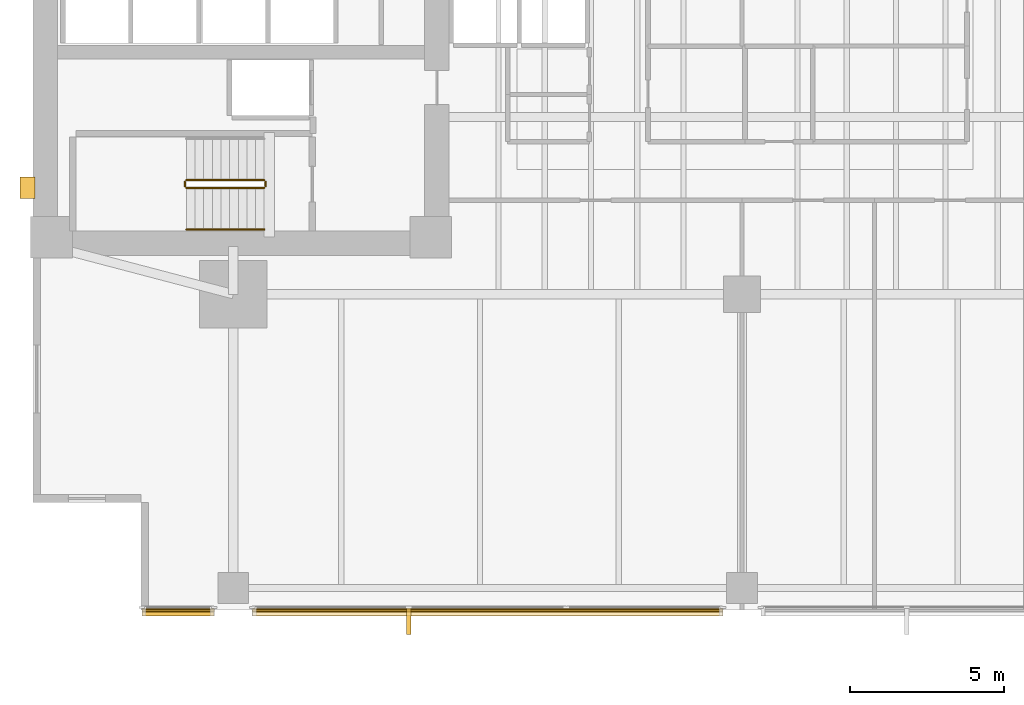
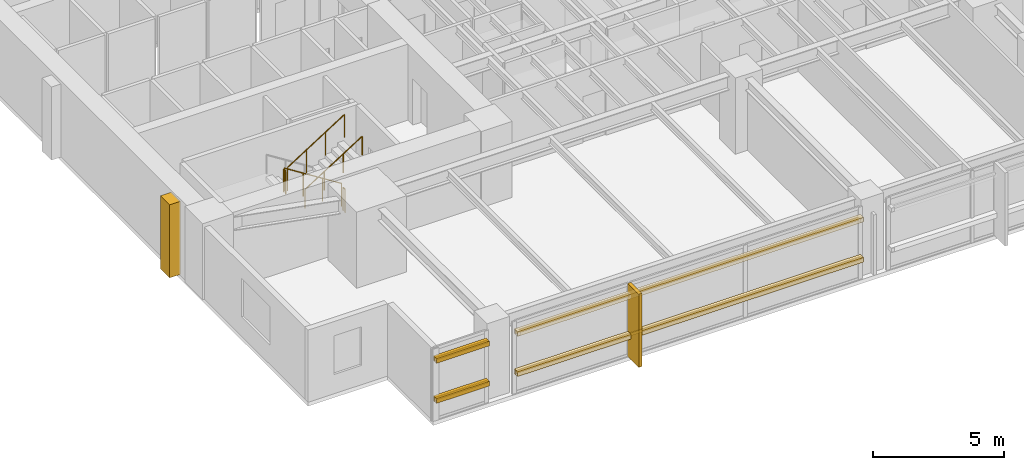
# One storey, part 12 of 15: 6 coverings, 5 railings, 4 shading devices.
"""IFC4 building model written with IfcOpenShell, lengths in metres."""

import ifcopenshell
import ifcopenshell.guid

model = None  # the IFC model being written
_history = None  # IfcOwnerHistory: only IFC2X3 demands one
_inside = {}  # id of a spatial element -> (the spatial element, [elements in it])
_under = {}  # id of a project, library or spatial element -> (it, [spatial elements below it])
_declared = {}  # id of a project -> (the project, [libraries it declares])
_typed = {}  # id of a type object -> (the type object, [elements of that type])
_made_of = {}  # id of a material, layer set ... -> (it, [elements and type objects made of it])


def new_model(schema):
    """Start an empty IFC model of exactly this schema.

    Asked for "IFC4X3", IfcOpenShell would pick the latest addendum, in which some entities
    have other attributes; the version numbers below select the first issue.
    IFC2X3 requires an IfcOwnerHistory on every rooted entity: one is made here for all.
    """
    global model, _history
    if schema == "IFC4X3":
        model = ifcopenshell.file(schema_version=(4, 3, 0, 0))
    else:
        model = ifcopenshell.file(schema=schema)
    _inside.clear()
    _under.clear()
    _declared.clear()
    _typed.clear()
    _made_of.clear()
    _history = None
    if model.schema == "IFC2X3":
        org = make("IfcOrganization", Name="unknown")
        user = make(
            "IfcPersonAndOrganization",
            ThePerson=make("IfcPerson", FamilyName="unknown"),
            TheOrganization=org,
        )
        app = make(
            "IfcApplication",
            ApplicationDeveloper=org,
            Version="unknown",
            ApplicationFullName="unknown",
            ApplicationIdentifier="unknown",
        )
        _history = make(
            "IfcOwnerHistory",
            OwningUser=user,
            OwningApplication=app,
            ChangeAction="ADDED",
            CreationDate=0,
        )
    return model


def make(cls, **values):
    """One entity of the class cls with the attributes given. An attribute that is None is left unset."""
    return model.create_entity(
        cls, **{name: value for name, value in values.items() if value is not None}
    )


def rooted(cls, **values):
    """An entity with a GlobalId (a new one), such as an element, a storey or a relation."""
    return make(cls, GlobalId=ifcopenshell.guid.new(), OwnerHistory=_history, **values)


def si_unit(unit_type, name, prefix=None):
    """IfcSIUnit, for example si_unit("LENGTHUNIT", "METRE", prefix="MILLI")."""
    return make("IfcSIUnit", UnitType=unit_type, Prefix=prefix, Name=name)


def assignment(units):
    """IfcUnitAssignment: the units of a project."""
    return None if units is None else make("IfcUnitAssignment", Units=units)


def point(xyz):
    """IfcCartesianPoint."""
    return None if xyz is None else make("IfcCartesianPoint", Coordinates=xyz)


def direction(xyz):
    """IfcDirection."""
    return None if xyz is None else make("IfcDirection", DirectionRatios=xyz)


def frame(location, z_axis=None, x_axis=None):
    """IfcAxis2Placement3D, a coordinate frame: its origin and axes. An axis left out is left unset."""
    return make(
        "IfcAxis2Placement3D",
        Location=point(location),
        Axis=direction(z_axis),
        RefDirection=direction(x_axis),
    )


def frame_2d(location, x_axis=None):
    """IfcAxis2Placement2D, a coordinate frame in the plane: its origin and x axis."""
    return make(
        "IfcAxis2Placement2D", Location=point(location), RefDirection=direction(x_axis)
    )


def origin():
    """The frame at (0, 0, 0) with its axes left unset."""
    return frame((0.0, 0.0, 0.0))


def origin_2d():
    """The frame at (0, 0) in the plane with its x axis left unset."""
    return frame_2d((0.0, 0.0))


def place(relative_to, where):
    """IfcLocalPlacement: puts the frame where relative to a parent placement (None: the world)."""
    return make(
        "IfcLocalPlacement", PlacementRelTo=relative_to, RelativePlacement=where
    )


def context(
    kind, dimensions, precision=None, world=None, true_north=None, identifier=None
):
    """IfcGeometricRepresentationContext, for example the 3D "Model" context."""
    return make(
        "IfcGeometricRepresentationContext",
        ContextIdentifier=identifier,
        ContextType=kind,
        CoordinateSpaceDimension=dimensions,
        Precision=precision,
        WorldCoordinateSystem=world,
        TrueNorth=true_north,
    )


def subcontext(parent, identifier, kind, view, scale=None):
    """IfcGeometricRepresentationSubContext, for example "Body" below "Model"."""
    return make(
        "IfcGeometricRepresentationSubContext",
        ContextIdentifier=identifier,
        ContextType=kind,
        ParentContext=parent,
        TargetScale=scale,
        TargetView=view,
    )


def project(units=None, contexts=None):
    """IfcProject with its units and contexts."""
    return rooted(
        "IfcProject",
        Name="project",
        RepresentationContexts=contexts,
        UnitsInContext=assignment(units),
    )


def spatial(cls, under=None, at=None, **own):
    """A site, building, storey or space (cls), placed at a placement, below another one or the project."""
    s = rooted(cls, ObjectPlacement=at, **own)
    if under is not None:
        _under.setdefault(under.id(), (under, []))[1].append(s)
    return s


def polyline(points):
    """IfcPolyline through the points."""
    return make("IfcPolyline", Points=[point(p) for p in points])


def profile(cls, at=None, kind="AREA", **sizes):
    """A parametric profile (cls). Its sizes go by their IFC names, for example OverallWidth=200.0."""
    return make(cls, ProfileType=kind, Position=at, **sizes)


def rectangle(**sizes):
    """IfcRectangleProfileDef."""
    return profile("IfcRectangleProfileDef", **sizes)


def circle(**sizes):
    """IfcCircleProfileDef."""
    return profile("IfcCircleProfileDef", **sizes)


def outline(outer, holes=None, kind="AREA"):
    """IfcArbitraryClosedProfileDef: a profile drawn as a closed curve; with holes, ...WithVoids."""
    if holes is None:
        return make("IfcArbitraryClosedProfileDef", ProfileType=kind, OuterCurve=outer)
    return make(
        "IfcArbitraryProfileDefWithVoids",
        ProfileType=kind,
        OuterCurve=outer,
        InnerCurves=holes,
    )


def extrude(swept, where, along, depth):
    """IfcExtrudedAreaSolid: the profile swept, set in the frame where, extruded along a direction by depth."""
    return make(
        "IfcExtrudedAreaSolid",
        SweptArea=swept,
        Position=where,
        ExtrudedDirection=direction(along),
        Depth=depth,
    )


def shape(context_of_items, identifier, shape_type, items):
    """IfcShapeRepresentation: the items that make up one representation, for example the "Body"."""
    return make(
        "IfcShapeRepresentation",
        ContextOfItems=context_of_items,
        RepresentationIdentifier=identifier,
        RepresentationType=shape_type,
        Items=items,
    )


def material(Name=None, Category=None):
    """IfcMaterial."""
    return make("IfcMaterial", Name=Name, Category=Category)


def layer(
    of_material, thickness, ventilated=None, Name=None, Category=None, Priority=None
):
    """IfcMaterialLayer: one layer of a wall or slab, of a material (None: an air gap)."""
    return make(
        "IfcMaterialLayer",
        Material=of_material,
        LayerThickness=thickness,
        IsVentilated=ventilated,
        Name=Name,
        Category=Category,
        Priority=Priority,
    )


def layer_set(layers, Name=None):
    """IfcMaterialLayerSet."""
    return make("IfcMaterialLayerSet", MaterialLayers=layers, LayerSetName=Name)


def material_profile(
    of_material, cross_section, Name=None, Category=None, Priority=None
):
    """IfcMaterialProfile: a cross section and its material."""
    return make(
        "IfcMaterialProfile",
        Name=Name,
        Material=of_material,
        Profile=cross_section,
        Priority=Priority,
        Category=Category,
    )


def profile_set(profiles, Name=None, composite=None):
    """IfcMaterialProfileSet."""
    return make(
        "IfcMaterialProfileSet",
        Name=Name,
        MaterialProfiles=profiles,
        CompositeProfile=composite,
    )


def made_of(thing, what):
    """Note that an element or type object is made of a material, layer set ...; save() writes the relation."""
    if what is not None:
        _made_of.setdefault(what.id(), (what, []))[1].append(thing)
    return thing


def type_object(cls, material=None, **own):
    """A type object (cls), such as IfcWallType, which elements share."""
    return made_of(rooted(cls, **own), material)


def element(
    cls,
    number,
    at=None,
    inside=None,
    cuts=None,
    type_object=None,
    material=None,
    context=None,
    identifier="Body",
    shape_type=None,
    held_by="IfcProductDefinitionShape",
    body=None,
    shapes=None,
    **own,
):
    """One element of the class cls, such as IfcWall. Its Tag is "e" and its number.

    at: its placement. inside: the storey or other place that contains it. cuts: it is an
    opening in that element (IfcRelVoidsElement). A single representation is given by context,
    identifier, shape_type and body (its items); several are given by shapes. held_by: the class
    of the entity that holds the representations. save() writes the other relations.
    """
    e = rooted(cls, Tag="e%d" % number, ObjectPlacement=at, **own)
    if body is not None:
        shapes = [shape(context, identifier, shape_type, body)]
    if shapes is not None:
        e.Representation = make(held_by, Representations=shapes)
    if inside is not None:
        _inside.setdefault(inside.id(), (inside, []))[1].append(e)
    if cuts is not None:
        rooted(
            "IfcRelVoidsElement", RelatingBuildingElement=cuts, RelatedOpeningElement=e
        )
    if type_object is not None:
        _typed.setdefault(type_object.id(), (type_object, []))[1].append(e)
    return made_of(e, material)


def aggregate(whole, parts):
    """IfcRelAggregates: a whole, such as a stair, and the parts it consists of."""
    return rooted("IfcRelAggregates", RelatingObject=whole, RelatedObjects=parts)


def save(model, path):
    """Write the relations noted so far, then the file.

    IfcRelAggregates (storeys below a building ...), IfcRelContainedInSpatialStructure (elements
    in a storey), IfcRelDefinesByType, IfcRelAssociatesMaterial and IfcRelDeclares: one each for
    every whole, place, type object, material and project.
    """
    for whole, parts in _under.values():
        aggregate(whole, parts)
    for where, things in _inside.values():
        rooted(
            "IfcRelContainedInSpatialStructure",
            RelatedElements=things,
            RelatingStructure=where,
        )
    for kind, things in _typed.values():
        rooted("IfcRelDefinesByType", RelatedObjects=things, RelatingType=kind)
    for what, things in _made_of.values():
        rooted("IfcRelAssociatesMaterial", RelatedObjects=things, RelatingMaterial=what)
    for by, libraries in _declared.values():
        rooted("IfcRelDeclares", RelatingContext=by, RelatedDefinitions=libraries)
    model.write(path)


model = new_model("IFC4")

# Units and contexts
model_context = context("Model", 3, precision=1e-05, world=origin(), true_north=direction((0.0, 1.0)))
body_context = subcontext(model_context, "Body", "Model", "MODEL_VIEW")
ifc_project = project(units=[si_unit("LENGTHUNIT", "METRE"), si_unit("AREAUNIT", "SQUARE_METRE"), si_unit("VOLUMEUNIT", "CUBIC_METRE"), si_unit("PLANEANGLEUNIT", "RADIAN"), si_unit("MASSUNIT", "GRAM", prefix="KILO")], contexts=[model_context])

# Site, building, storey
site_placement = place(None, origin())
site = spatial("IfcSite", under=ifc_project, at=site_placement, CompositionType="ELEMENT")
building_placement = place(site_placement, origin())
building = spatial("IfcBuilding", under=site, at=building_placement, Name="Kinhvarn Gate Tower", CompositionType="ELEMENT")
storey_placement = place(building_placement, frame((0.0, 0.0, 71.75)))
storey = spatial("IfcBuildingStorey", under=building, at=storey_placement, Name="L18", CompositionType="ELEMENT", Elevation=71.75)

# Coverings
ifc_material_1 = material(Name="Fired architectural terracotta", Category="masonry")
ifc_layer_1 = layer(ifc_material_1, 0.239990234375)
ifc_layer_set_1 = layer_set([ifc_layer_1], Name="Fired architectural terracotta")
covering_type_1 = type_object("IfcCoveringType", Name="COV-BAG-220", PredefinedType="CLADDING", material=ifc_layer_set_1)
for number, where, name in (
    (1, (0.0, 0.0, 0.93994140625), "Terracotta Horizontal Sunscreen Band TBG-220 (L18)"),
    (2, (0.0, 0.0, 2.81005859375), "Terracotta Horizontal Sunscreen Band TBG-220 (L18)"),
):
    element("IfcCovering", number, at=place(storey_placement, frame(where)), inside=storey, type_object=covering_type_1, Name=name, PredefinedType="CLADDING", context=body_context, shape_type="SweptSolid", body=[
        extrude(outline(polyline([(8.0400390625, 2.56005859375), (10.3798828125, 2.56005859375), (10.3798828125, 2.320068359375), (8.0400390625, 2.320068359375), (8.0400390625, 2.56005859375)])), origin(), (0.0, 0.0, 1.0), 0.219970703125),
    ])
for number, where, name in (
    (3, (0.0, 0.0, 0.93994140625), "Terracotta Horizontal Sunscreen Band TBG-220 (L18)"),
    (4, (0.0, 0.0, 2.81005859375), "Terracotta Horizontal Sunscreen Band TBG-220 (L18)"),
):
    element("IfcCovering", number, at=place(storey_placement, frame(where)), inside=storey, type_object=covering_type_1, Name=name, PredefinedType="CLADDING", context=body_context, shape_type="SweptSolid", body=[
        extrude(outline(polyline([(11.6201171875, 2.56005859375), (26.8798828125, 2.56005859375), (26.8798828125, 2.320068359375), (11.6201171875, 2.320068359375), (11.6201171875, 2.56005859375)])), origin(), (0.0, 0.0, 1.0), 0.219970703125),
    ])
ifc_layer_2 = layer(ifc_material_1, 0.139892578125)
ifc_layer_set_2 = layer_set([ifc_layer_2], Name="Fired architectural terracotta")
covering_type_2 = type_object("IfcCoveringType", Name="COV-FIN-850", PredefinedType="CLADDING", material=ifc_layer_set_2)
covering_1_placement = place(storey_placement, frame((0.0, 0.0, -0.02001953125)))
element("IfcCovering", 5, at=covering_1_placement, inside=storey, type_object=covering_type_2, Name="Vertical Terracotta Expressive Fin TFN-850 (L18)", PredefinedType="CLADDING", context=body_context, shape_type="SweptSolid", body=[
    extrude(outline(polyline([(16.623291015625, 2.570068359375), (16.76318359375, 2.570068359375), (16.76318359375, 1.719970703125), (16.623291015625, 1.719970703125), (16.623291015625, 2.570068359375)])), origin(), (0.0, 0.0, 1.0), 3.409912109375),
])
ifc_material_2 = material(Name="Precast white architectural concrete C40/50", Category="concrete")
ifc_layer_3 = layer(ifc_material_2, 0.47998046875)
ifc_layer_set_3 = layer_set([ifc_layer_3], Name="Precast white architectural concrete C40/50")
covering_type_3 = type_object("IfcCoveringType", Name="COV-RIB-450", PredefinedType="CLADDING", material=ifc_layer_set_3)
covering_2_placement = place(storey_placement, frame((0.0, 0.0, -0.02001953125)))
element("IfcCovering", 6, at=covering_2_placement, inside=storey, type_object=covering_type_3, Name="West Core Sculptural Concrete Relief Rib CRB-450 (L18)", PredefinedType="CLADDING", context=body_context, shape_type="SweptSolid", body=[
    extrude(outline(polyline([(4.080078125, 15.85009765625), (4.56005859375, 15.85009765625), (4.56005859375, 16.550048828125), (4.080078125, 16.550048828125), (4.080078125, 15.85009765625)])), origin(), (0.0, 0.0, 1.0), 3.409912109375),
])

# Railings
ifc_material_3 = material(Name="Steel S355", Category="steel")
railing_type_1 = type_object("IfcRailingType", Name="RL-ST-GRD", PredefinedType="BALUSTRADE", material=ifc_material_3)
railing_1_placement = place(storey_placement, frame((12.0, 16.449951171875, 0.177490234375)))
element("IfcRailing", 7, at=railing_1_placement, inside=storey, type_object=railing_type_1, Name="L18 ST1 stair guard 1", PredefinedType="BALUSTRADE", context=body_context, shape_type="SweptSolid", body=[
    extrude(circle(Radius=0.02392578125, at=origin_2d()), frame((0.0, 0.0, 1.076171875), z_axis=(-0.84460694969, 0.0, 0.535386869969), x_axis=(0.0, -1.0, 0.0)), (0.0, 0.0, 1.0), 2.983642578125),
    extrude(circle(Radius=0.02099609375, at=origin_2d()), origin(), (0.0, 0.0, 1.0), 1.052001953125),
    extrude(circle(Radius=0.02099609375, at=origin_2d()), frame((-0.840087890625, 0.0, 0.532470703125)), (0.0, 0.0, 1.0), 1.052001953125),
    extrude(circle(Radius=0.02099609375, at=origin_2d()), frame((-1.679931640625, 0.0, 1.06494140625)), (0.0, 0.0, 1.0), 1.052001953125),
    extrude(circle(Radius=0.02099609375, at=origin_2d()), frame((-2.52001953125, 0.0, 1.597412109375)), (0.0, 0.0, 1.0), 1.052001953125),
])
railing_2_placement = place(storey_placement, frame((9.429931640625, 16.39990234375, 1.77490234375)))
element("IfcRailing", 8, at=railing_2_placement, inside=storey, type_object=railing_type_1, Name="L18 ST1 stair guard 2", PredefinedType="BALUSTRADE", context=body_context, shape_type="SweptSolid", body=[
    extrude(circle(Radius=0.02392578125, at=origin_2d()), frame((0.0, 0.0, 1.076171875), z_axis=(0.0, -1.0, 0.0), x_axis=(1.0, 0.0, 0.0)), (0.0, 0.0, 1.0), 0.14990234375),
    extrude(circle(Radius=0.02099609375, at=origin_2d()), origin(), (0.0, 0.0, 1.0), 1.052001953125),
    extrude(circle(Radius=0.02099609375, at=origin_2d()), frame((0.0, -0.14990234375, 0.0)), (0.0, 0.0, 1.0), 1.052001953125),
])
railing_3_placement = place(storey_placement, frame((9.47998046875, 16.199951171875, 1.952392578125)))
element("IfcRailing", 9, at=railing_3_placement, inside=storey, type_object=railing_type_1, Name="L18 ST1 stair guard 3", PredefinedType="BALUSTRADE", context=body_context, shape_type="SweptSolid", body=[
    extrude(circle(Radius=0.02392578125, at=origin_2d()), frame((0.0, 0.0, 1.076171875), z_axis=(0.84456994832, 0.0, 0.535445237532), x_axis=(0.0, 1.0, 0.0)), (0.0, 0.0, 1.0), 2.98388671875),
    extrude(circle(Radius=0.02099609375, at=origin_2d()), origin(), (0.0, 0.0, 1.0), 1.052001953125),
    extrude(circle(Radius=0.02099609375, at=origin_2d()), frame((0.840087890625, 0.0, 0.532470703125)), (0.0, 0.0, 1.0), 1.052001953125),
    extrude(circle(Radius=0.02099609375, at=origin_2d()), frame((1.679931640625, 0.0, 1.065185546875)), (0.0, 0.0, 1.0), 1.052001953125),
    extrude(circle(Radius=0.02099609375, at=origin_2d()), frame((2.52001953125, 0.0, 1.59765625)), (0.0, 0.0, 1.0), 1.052001953125),
])
railing_4_placement = place(storey_placement, frame((12.050048828125, 16.39990234375, 0.0)))
element("IfcRailing", 10, at=railing_4_placement, inside=storey, type_object=railing_type_1, Name="L18 ST1 stair guard 4", PredefinedType="BALUSTRADE", context=body_context, shape_type="SweptSolid", body=[
    extrude(circle(Radius=0.02392578125, at=origin_2d()), frame((0.0, 0.0, 1.076171875), z_axis=(0.0, -1.0, 0.0), x_axis=(1.0, 0.0, 0.0)), (0.0, 0.0, 1.0), 0.14990234375),
    extrude(circle(Radius=0.02099609375, at=origin_2d()), origin(), (0.0, 0.0, 1.0), 1.052001953125),
    extrude(circle(Radius=0.02099609375, at=origin_2d()), frame((0.0, -0.14990234375, 0.0)), (0.0, 0.0, 1.0), 1.052001953125),
])
railing_type_2 = type_object("IfcRailingType", Name="RL-ST-HND", PredefinedType="HANDRAIL", material=ifc_material_3)
railing_5_placement = place(storey_placement, frame((9.47998046875, 14.85009765625, 1.952392578125)))
element("IfcRailing", 11, at=railing_5_placement, inside=storey, type_object=railing_type_2, Name="L18 ST1 stair handrail 2", PredefinedType="HANDRAIL", context=body_context, shape_type="SweptSolid", body=[
    extrude(circle(Radius=0.02392578125, at=origin_2d()), frame((0.0, 0.0, 0.8759765625), z_axis=(0.84456994832, 0.0, 0.535445237532), x_axis=(0.0, 1.0, 0.0)), (0.0, 0.0, 1.0), 2.98388671875),
    extrude(circle(Radius=0.02099609375, at=origin_2d()), origin(), (0.0, 0.0, 1.0), 0.851806640625),
    extrude(circle(Radius=0.02099609375, at=origin_2d()), frame((0.840087890625, 0.0, 0.532470703125)), (0.0, 0.0, 1.0), 0.851806640625),
    extrude(circle(Radius=0.02099609375, at=origin_2d()), frame((1.679931640625, 0.0, 1.065185546875)), (0.0, 0.0, 1.0), 0.851806640625),
    extrude(circle(Radius=0.02099609375, at=origin_2d()), frame((2.52001953125, 0.0, 1.59765625)), (0.0, 0.0, 1.0), 0.851806640625),
])

# Shading devices
ifc_material_profile = material_profile(ifc_material_1, rectangle(XDim=0.06005859375, YDim=0.139892578125, at=origin_2d()), Name="TC 60x140")
ifc_profile_set = profile_set([ifc_material_profile], Name="Fired architectural terracotta")
shading_device_type = type_object("IfcShadingDeviceType", Name="SHD-BAG-180", PredefinedType="USERDEFINED", material=ifc_profile_set)
for number, where, z_axis, x_axis, name in (
    (12, (8.0400390625, 2.485107421875, 1.050048828125), (1.0, 0.0, 0.0), (0.0, 1.0, 0.0), "Fired Terracotta Baguette Screen Rod 60x140 mm (L18)"),
    (13, (8.0400390625, 2.485107421875, 2.919921875), (1.0, 0.0, 0.0), (0.0, 1.0, 0.0), "Fired Terracotta Baguette Screen Rod 60x140 mm (L18)"),
):
    element("IfcShadingDevice", number, at=place(storey_placement, frame(where, z_axis=z_axis, x_axis=x_axis)), inside=storey, type_object=shading_device_type, Name=name, ObjectType="BAGUETTE", PredefinedType="USERDEFINED", context=body_context, shape_type="SweptSolid", body=[
        extrude(rectangle(XDim=0.06005859375, YDim=0.139892578125, at=origin_2d()), origin(), (0.0, 0.0, 1.0), 2.33984375),
    ])
for number, where, z_axis, x_axis, name in (
    (14, (11.6201171875, 2.485107421875, 1.050048828125), (1.0, 0.0, 0.0), (0.0, 1.0, 0.0), "Fired Terracotta Baguette Screen Rod 60x140 mm (L18)"),
    (15, (11.6201171875, 2.485107421875, 2.919921875), (1.0, 0.0, 0.0), (0.0, 1.0, 0.0), "Fired Terracotta Baguette Screen Rod 60x140 mm (L18)"),
):
    element("IfcShadingDevice", number, at=place(storey_placement, frame(where, z_axis=z_axis, x_axis=x_axis)), inside=storey, type_object=shading_device_type, Name=name, ObjectType="BAGUETTE", PredefinedType="USERDEFINED", context=body_context, shape_type="SweptSolid", body=[
        extrude(rectangle(XDim=0.06005859375, YDim=0.139892578125, at=origin_2d()), origin(), (0.0, 0.0, 1.0), 15.259765625),
    ])

save(model, "model.ifc")
